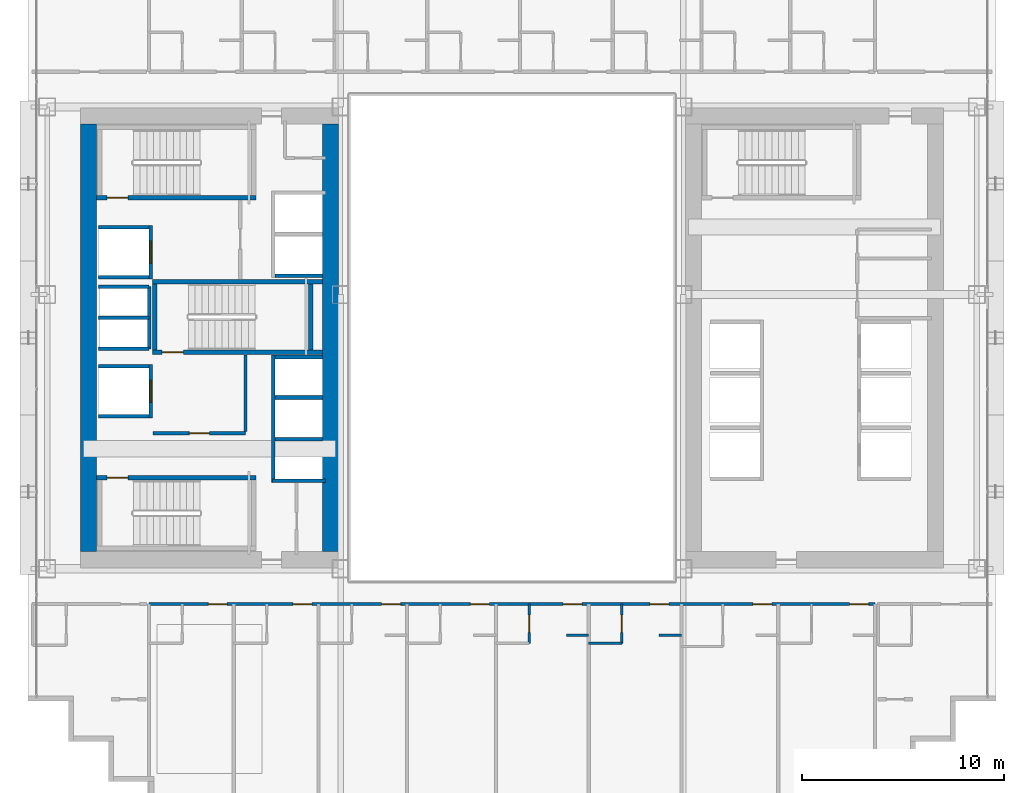
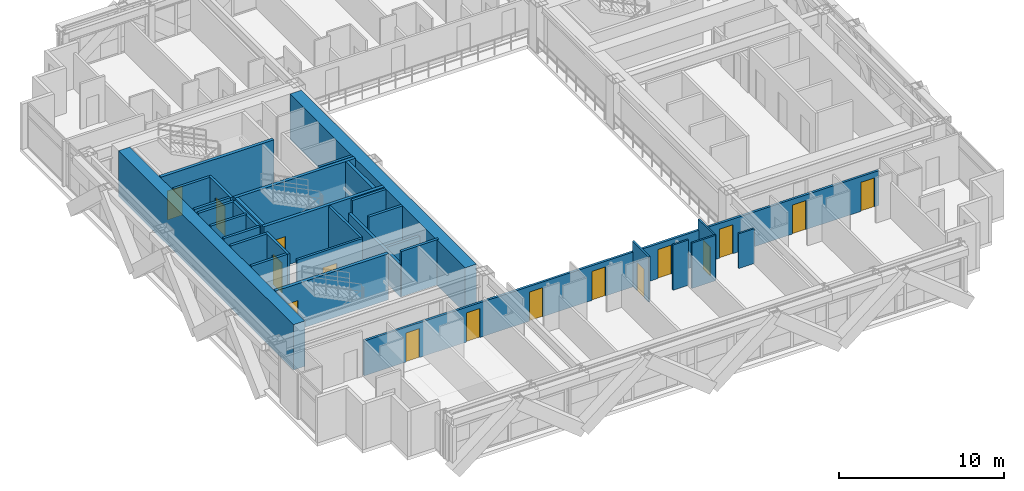
# One storey, part 28 of 36: 32 walls, 16 doors, 16 openings.
"""IFC4 building model written with IfcOpenShell, lengths in metres."""

from ifc_helpers import new_model, si_unit, direction, frame, frame_2d, origin, place, context, subcontext, project, spatial, rectangle, extrude, source, transform, mapped, material, layer, layer_set, type_object, element, fill, save


model = new_model("IFC4")

# Units and contexts
model_context = context("Model", 3, precision=1e-05, world=origin(), true_north=direction((0.0, 1.0)))
body_context = subcontext(model_context, "Body", "Model", "MODEL_VIEW")
ifc_project = project(units=[si_unit("LENGTHUNIT", "METRE"), si_unit("AREAUNIT", "SQUARE_METRE"), si_unit("VOLUMEUNIT", "CUBIC_METRE"), si_unit("PLANEANGLEUNIT", "RADIAN"), si_unit("MASSUNIT", "GRAM", prefix="KILO")], contexts=[model_context])

# Site, building, storey
site_placement = place(None, origin())
site = spatial("IfcSite", under=ifc_project, at=site_placement, CompositionType="ELEMENT")
building_placement = place(site_placement, origin())
building = spatial("IfcBuilding", under=site, at=building_placement, Name="Ocotamira Hotel", CompositionType="ELEMENT")
storey_placement = place(building_placement, frame((0.0, 0.0, 42.0)))
storey = spatial("IfcBuildingStorey", under=building, at=storey_placement, Name="L09", CompositionType="ELEMENT", Elevation=42.0)

# Walls
ifc_material_1 = material(Name="Concrete C60/75", Category="concrete")
ifc_layer_1 = layer(ifc_material_1, 0.800048828125)
ifc_layer_set_1 = layer_set([ifc_layer_1], Name="Concrete C60/75")
wall_type_1 = type_object("IfcWallType", Name="WL-CORE-800", PredefinedType="SHEAR", material=ifc_layer_set_1)
for number, where, z_axis, x_axis, name in (
    (1, (11.0, 15.39990234375, 0.0), (0.0, 0.0, 1.0), (0.0, 1.0, 0.0), "L09 Shear Core Wall WCORE-W"),
    (2, (23.0, 15.39990234375, 0.0), (0.0, 0.0, 1.0), (0.0, 1.0, 0.0), "L09 Shear Core Wall WCORE-E"),
):
    element("IfcWall", number, at=place(storey_placement, frame(where, z_axis=z_axis, x_axis=x_axis)), inside=storey, type_object=wall_type_1, Name=name, PredefinedType="SHEAR", context=body_context, shape_type="SweptSolid", body=[
        extrude(rectangle(XDim=21.2001953125, YDim=0.800048828125, at=frame_2d((10.60009765625, 0.0))), origin(), (0.0, 0.0, 1.0), 3.35009765625),
    ])

# Wall, opening, door
ifc_material_2 = material(Name="Acoustic double-layer fire gypsum board partition", Category="gypsum")
ifc_layer_2 = layer(ifc_material_2, 0.159912109375)
ifc_layer_set_2 = layer_set([ifc_layer_2], Name="Acoustic double-layer fire gypsum board partition")
wall_type_2 = type_object("IfcWallType", Name="WL-FIRE-160", PredefinedType="PARTITIONING", material=ifc_layer_set_2)
wall_1_placement = place(storey_placement, frame((14.199951171875, 21.27001953125, 0.0), z_axis=(0.0, 0.0, 1.0), x_axis=(1.0, 0.0, 0.0)))
wall_1 = element("IfcWall", 3, at=wall_1_placement, inside=storey, type_object=wall_type_2, Name="L09 Interior Wall PW-L09-FSAE1-S", PredefinedType="PARTITIONING", context=body_context, shape_type="SweptSolid", body=[
    extrude(rectangle(XDim=4.580078125, YDim=0.159912109375, at=frame_2d((2.2900390625, 0.0))), origin(), (0.0, 0.0, 1.0), 3.35009765625),
])
opening_1_placement = place(wall_1_placement, frame((1.800048828125, 0.0, 0.0)))
opening_1 = element("IfcOpeningElement", 4, at=opening_1_placement, cuts=wall_1, Name="Opening D-FR2", PredefinedType="OPENING", context=body_context, shape_type="SweptSolid", body=[
    extrude(rectangle(XDim=1.0, YDim=2.14990234375, at=frame_2d((0.5, 1.074951171875))), frame((0.0, 0.08984375, 0.0), z_axis=(0.0, -1.0, 0.0), x_axis=(1.0, 0.0, 0.0)), (0.0, 0.0, 1.0), 0.179931640625),
])
ifc_material_3 = material(Name="Fire-rated acoustic timber-veneer door", Category="wood")
door_type_1 = type_object("IfcDoorType", Name="DR-FIRE-1000", OperationType="NOTDEFINED", PredefinedType="DOOR", material=ifc_material_3)
shared_shape_1 = source(origin(), body_context, "Body", "SweptSolid", [
    extrude(rectangle(XDim=1.0, YDim=2.14990234375, at=frame_2d((0.5, 1.074951171875))), frame((0.0, 0.02490234375, 0.0), z_axis=(0.0, -1.0, 0.0), x_axis=(1.0, 0.0, 0.0)), (0.0, 0.0, 1.0), 0.050048828125),
])
door_1_placement = place(opening_1_placement, origin())
door_1 = element("IfcDoor", 5, at=door_1_placement, inside=storey, type_object=door_type_1, Name="L09 Door ID-L09-FSAE1-D [ID-L09-FSAE1-D]", OperationType="SINGLE_SWING_LEFT", OverallHeight=2.14990234375, OverallWidth=1.0, PredefinedType="DOOR", context=body_context, shape_type="MappedRepresentation", body=[
    mapped(shared_shape_1, transform((0.0, 0.0, 0.0), scale=1.0)),
])
fill(opening_1, door_1)

# Wall
wall_2_placement = place(storey_placement, frame((18.780029296875, 21.35009765625, 0.0), z_axis=(0.0, 0.0, 1.0), x_axis=(0.0, 1.0, 0.0)))
element("IfcWall", 6, at=wall_2_placement, inside=storey, type_object=wall_type_2, Name="L09 Interior Wall PW-L09-FSAE1-E", PredefinedType="PARTITIONING", context=body_context, shape_type="SweptSolid", body=[
    extrude(rectangle(XDim=3.809814453125, YDim=0.159912109375, at=frame_2d((1.90478515625, 0.0))), origin(), (0.0, 0.0, 1.0), 3.35009765625),
])

# Wall, openings, doors
wall_3_placement = place(storey_placement, frame((14.0, 12.800048828125, 0.0), z_axis=(0.0, 0.0, 1.0), x_axis=(1.0, 0.0, 0.0)))
wall_3 = element("IfcWall", 7, at=wall_3_placement, inside=storey, type_object=wall_type_2, Name="L09 Interior Wall PW-L09-Z1AS-CORRW", PredefinedType="PARTITIONING", context=body_context, shape_type="SweptSolid", body=[
    extrude(rectangle(XDim=36.0, YDim=0.159912109375, at=frame_2d((18.0, 0.0))), origin(), (0.0, 0.0, 1.0), 2.571044921875),
])
opening_2_placement = place(wall_3_placement, frame((2.93994140625, 0.0, 0.0)))
opening_2 = element("IfcOpeningElement", 8, at=opening_2_placement, cuts=wall_3, Name="Opening D-GR1", PredefinedType="OPENING", context=body_context, shape_type="SweptSolid", body=[
    extrude(rectangle(XDim=0.93994140625, YDim=2.14990234375, at=frame_2d((0.469970703125, 1.074951171875))), frame((0.0, 0.08984375, 0.0), z_axis=(0.0, -1.0, 0.0), x_axis=(1.0, 0.0, 0.0)), (0.0, 0.0, 1.0), 0.179931640625),
])
opening_3_placement = place(wall_3_placement, frame((7.139892578125, 0.0, 0.0)))
opening_3 = element("IfcOpeningElement", 9, at=opening_3_placement, cuts=wall_3, Name="Opening D-GR1", PredefinedType="OPENING", context=body_context, shape_type="SweptSolid", body=[
    extrude(rectangle(XDim=0.93994140625, YDim=2.14990234375, at=frame_2d((0.469970703125, 1.074951171875))), frame((0.0, 0.08984375, 0.0), z_axis=(0.0, -1.0, 0.0), x_axis=(1.0, 0.0, 0.0)), (0.0, 0.0, 1.0), 0.179931640625),
])
opening_4_placement = place(wall_3_placement, frame((11.5400390625, 0.0, 0.0)))
opening_4 = element("IfcOpeningElement", 10, at=opening_4_placement, cuts=wall_3, Name="Opening D-GR1", PredefinedType="OPENING", context=body_context, shape_type="SweptSolid", body=[
    extrude(rectangle(XDim=0.93994140625, YDim=2.14990234375, at=frame_2d((0.469970703125, 1.074951171875))), frame((0.0, 0.08984375, 0.0), z_axis=(0.0, -1.0, 0.0), x_axis=(1.0, 0.0, 0.0)), (0.0, 0.0, 1.0), 0.179931640625),
])
opening_5_placement = place(wall_3_placement, frame((15.93994140625, 0.0, 0.0)))
opening_5 = element("IfcOpeningElement", 11, at=opening_5_placement, cuts=wall_3, Name="Opening D-GR1", PredefinedType="OPENING", context=body_context, shape_type="SweptSolid", body=[
    extrude(rectangle(XDim=0.93994140625, YDim=2.14990234375, at=frame_2d((0.469970703125, 1.074951171875))), frame((0.0, 0.08984375, 0.0), z_axis=(0.0, -1.0, 0.0), x_axis=(1.0, 0.0, 0.0)), (0.0, 0.0, 1.0), 0.179931640625),
])
opening_6_placement = place(wall_3_placement, frame((20.5400390625, 0.0, 0.0)))
opening_6 = element("IfcOpeningElement", 12, at=opening_6_placement, cuts=wall_3, Name="Opening D-GR1", PredefinedType="OPENING", context=body_context, shape_type="SweptSolid", body=[
    extrude(rectangle(XDim=0.93994140625, YDim=2.14990234375, at=frame_2d((0.469970703125, 1.074951171875))), frame((0.0, 0.08984375, 0.0), z_axis=(0.0, -1.0, 0.0), x_axis=(1.0, 0.0, 0.0)), (0.0, 0.0, 1.0), 0.179931640625),
])
opening_7_placement = place(wall_3_placement, frame((24.840087890625, 0.0, 0.0)))
opening_7 = element("IfcOpeningElement", 13, at=opening_7_placement, cuts=wall_3, Name="Opening D-GR1", PredefinedType="OPENING", context=body_context, shape_type="SweptSolid", body=[
    extrude(rectangle(XDim=0.93994140625, YDim=2.14990234375, at=frame_2d((0.469970703125, 1.074951171875))), frame((0.0, 0.08984375, 0.0), z_axis=(0.0, -1.0, 0.0), x_axis=(1.0, 0.0, 0.0)), (0.0, 0.0, 1.0), 0.179931640625),
])
opening_8_placement = place(wall_3_placement, frame((29.93994140625, 0.0, 0.0)))
opening_8 = element("IfcOpeningElement", 14, at=opening_8_placement, cuts=wall_3, Name="Opening D-GR1", PredefinedType="OPENING", context=body_context, shape_type="SweptSolid", body=[
    extrude(rectangle(XDim=0.93994140625, YDim=2.14990234375, at=frame_2d((0.469970703125, 1.074951171875))), frame((0.0, 0.08984375, 0.0), z_axis=(0.0, -1.0, 0.0), x_axis=(1.0, 0.0, 0.0)), (0.0, 0.0, 1.0), 0.179931640625),
])
opening_9_placement = place(wall_3_placement, frame((34.739990234375, 0.0, 0.0)))
opening_9 = element("IfcOpeningElement", 15, at=opening_9_placement, cuts=wall_3, Name="Opening D-GR1", PredefinedType="OPENING", context=body_context, shape_type="SweptSolid", body=[
    extrude(rectangle(XDim=0.93994140625, YDim=2.14990234375, at=frame_2d((0.469970703125, 1.074951171875))), frame((0.0, 0.08984375, 0.0), z_axis=(0.0, -1.0, 0.0), x_axis=(1.0, 0.0, 0.0)), (0.0, 0.0, 1.0), 0.179931640625),
])
ifc_material_4 = material(Name="Solid-core walnut suite entrance fire door", Category="wood")
door_type_2 = type_object("IfcDoorType", Name="DR-GUEST-940", OperationType="NOTDEFINED", PredefinedType="DOOR", material=ifc_material_4)
shared_shape_2 = source(origin(), body_context, "Body", "SweptSolid", [
    extrude(rectangle(XDim=0.93994140625, YDim=2.14990234375, at=frame_2d((0.469970703125, 1.074951171875))), frame((0.0, 0.02490234375, 0.0), z_axis=(0.0, -1.0, 0.0), x_axis=(1.0, 0.0, 0.0)), (0.0, 0.0, 1.0), 0.050048828125),
])
door_2_placement = place(opening_2_placement, origin())
door_2 = element("IfcDoor", 16, at=door_2_placement, inside=storey, type_object=door_type_2, Name="L09 Door ID-L09-Z1AS-RMD1 [ID-L09-Z1AS-RMD1]", OperationType="SINGLE_SWING_LEFT", OverallHeight=2.14990234375, OverallWidth=0.93994140625, PredefinedType="DOOR", context=body_context, shape_type="MappedRepresentation", body=[
    mapped(shared_shape_2, transform((0.0, 0.0, 0.0), scale=1.0)),
])
fill(opening_2, door_2)
door_3_placement = place(opening_3_placement, origin())
door_3 = element("IfcDoor", 17, at=door_3_placement, inside=storey, type_object=door_type_2, Name="L09 Door ID-L09-Z1AS-RMD2 [ID-L09-Z1AS-RMD2]", OperationType="SINGLE_SWING_RIGHT", OverallHeight=2.14990234375, OverallWidth=0.93994140625, PredefinedType="DOOR", context=body_context, shape_type="MappedRepresentation", body=[
    mapped(shared_shape_2, transform((0.0, 0.0, 0.0), scale=1.0)),
])
fill(opening_3, door_3)
door_4_placement = place(opening_4_placement, origin())
door_4 = element("IfcDoor", 18, at=door_4_placement, inside=storey, type_object=door_type_2, Name="L09 Door ID-L09-Z1AS-RMD3 [ID-L09-Z1AS-RMD3]", OperationType="SINGLE_SWING_LEFT", OverallHeight=2.14990234375, OverallWidth=0.93994140625, PredefinedType="DOOR", context=body_context, shape_type="MappedRepresentation", body=[
    mapped(shared_shape_2, transform((0.0, 0.0, 0.0), scale=1.0)),
])
fill(opening_4, door_4)
door_5_placement = place(opening_5_placement, origin())
door_5 = element("IfcDoor", 19, at=door_5_placement, inside=storey, type_object=door_type_2, Name="L09 Door ID-L09-Z1AS-RMD4 [ID-L09-Z1AS-RMD4]", OperationType="SINGLE_SWING_RIGHT", OverallHeight=2.14990234375, OverallWidth=0.93994140625, PredefinedType="DOOR", context=body_context, shape_type="MappedRepresentation", body=[
    mapped(shared_shape_2, transform((0.0, 0.0, 0.0), scale=1.0)),
])
fill(opening_5, door_5)
door_6_placement = place(opening_6_placement, origin())
door_6 = element("IfcDoor", 20, at=door_6_placement, inside=storey, type_object=door_type_2, Name="L09 Door ID-L09-Z1AS-RMD5 [ID-L09-Z1AS-RMD5]", OperationType="SINGLE_SWING_LEFT", OverallHeight=2.14990234375, OverallWidth=0.93994140625, PredefinedType="DOOR", context=body_context, shape_type="MappedRepresentation", body=[
    mapped(shared_shape_2, transform((0.0, 0.0, 0.0), scale=1.0)),
])
fill(opening_6, door_6)
door_7_placement = place(opening_7_placement, origin())
door_7 = element("IfcDoor", 21, at=door_7_placement, inside=storey, type_object=door_type_2, Name="L09 Door ID-L09-Z1AS-RMD6 [ID-L09-Z1AS-RMD6]", OperationType="SINGLE_SWING_RIGHT", OverallHeight=2.14990234375, OverallWidth=0.93994140625, PredefinedType="DOOR", context=body_context, shape_type="MappedRepresentation", body=[
    mapped(shared_shape_2, transform((0.0, 0.0, 0.0), scale=1.0)),
])
fill(opening_7, door_7)
door_8_placement = place(opening_8_placement, origin())
door_8 = element("IfcDoor", 22, at=door_8_placement, inside=storey, type_object=door_type_2, Name="L09 Door ID-L09-Z1AS-RMD7 [ID-L09-Z1AS-RMD7]", OperationType="SINGLE_SWING_LEFT", OverallHeight=2.14990234375, OverallWidth=0.93994140625, PredefinedType="DOOR", context=body_context, shape_type="MappedRepresentation", body=[
    mapped(shared_shape_2, transform((0.0, 0.0, 0.0), scale=1.0)),
])
fill(opening_8, door_8)
door_9_placement = place(opening_9_placement, origin())
door_9 = element("IfcDoor", 23, at=door_9_placement, inside=storey, type_object=door_type_2, Name="L09 Door ID-L09-Z1AS-RMD8 [ID-L09-Z1AS-RMD8]", OperationType="SINGLE_SWING_RIGHT", OverallHeight=2.14990234375, OverallWidth=0.93994140625, PredefinedType="DOOR", context=body_context, shape_type="MappedRepresentation", body=[
    mapped(shared_shape_2, transform((0.0, 0.0, 0.0), scale=1.0)),
])
fill(opening_9, door_9)

# Wall, opening, door
ifc_material_5 = material(Name="Moisture-resistant en-suite tile and gypsum partition", Category="gypsum")
ifc_layer_3 = layer(ifc_material_5, 0.1201171875)
ifc_layer_set_3 = layer_set([ifc_layer_3], Name="Moisture-resistant en-suite tile and gypsum partition")
wall_type_3 = type_object("IfcWallType", Name="WL-PART-120", PredefinedType="PARTITIONING", material=ifc_layer_set_3)
wall_4_placement = place(storey_placement, frame((32.85009765625, 10.85009765625, 0.0), z_axis=(0.0, 0.0, 1.0), x_axis=(0.0, 1.0, 0.0)))
wall_4 = element("IfcWall", 24, at=wall_4_placement, inside=storey, type_object=wall_type_3, Name="L09 Interior Wall PW-L09-Z1AS-BAE5", PredefinedType="PARTITIONING", context=body_context, shape_type="SweptSolid", body=[
    extrude(rectangle(XDim=1.949951171875, YDim=0.1201171875, at=frame_2d((0.97509765625, 0.0))), origin(), (0.0, 0.0, 1.0), 3.35009765625),
])
opening_10_placement = place(wall_4_placement, frame((0.544921875, 0.0, 0.0)))
opening_10 = element("IfcOpeningElement", 25, at=opening_10_placement, cuts=wall_4, Name="Opening D-BA1", PredefinedType="OPENING", context=body_context, shape_type="SweptSolid", body=[
    extrude(rectangle(XDim=0.860107421875, YDim=2.10009765625, at=frame_2d((0.43017578125, 1.050048828125))), frame((0.0, 0.070068359375, 0.0), z_axis=(0.0, -1.0, 0.0), x_axis=(1.0, 0.0, 0.0)), (0.0, 0.0, 1.0), 0.14013671875),
])
ifc_material_6 = material(Name="Moisture-sealed en-suite timber door", Category="wood")
door_type_3 = type_object("IfcDoorType", Name="DR-BATH-860", OperationType="NOTDEFINED", PredefinedType="DOOR", material=ifc_material_6)
shared_shape_3 = source(origin(), body_context, "Body", "SweptSolid", [
    extrude(rectangle(XDim=0.860107421875, YDim=2.10009765625, at=frame_2d((0.43017578125, 1.050048828125))), frame((0.0, 0.02490234375, 0.0), z_axis=(0.0, -1.0, 0.0), x_axis=(1.0, 0.0, 0.0)), (0.0, 0.0, 1.0), 0.050048828125),
])
door_10_placement = place(opening_10_placement, origin())
door_10 = element("IfcDoor", 26, at=door_10_placement, inside=storey, type_object=door_type_3, Name="L09 Door ID-L09-Z1AS-BAD5 [ID-L09-Z1AS-BAD5]", OperationType="SINGLE_SWING_RIGHT", OverallHeight=2.10009765625, OverallWidth=0.860107421875, PredefinedType="DOOR", context=body_context, shape_type="MappedRepresentation", body=[
    mapped(shared_shape_3, transform((0.0, 0.0, 0.0), scale=1.0)),
])
fill(opening_10, door_10)

# Wall
wall_5_placement = place(storey_placement, frame((34.699951171875, 11.25, 0.0), z_axis=(0.0, 0.0, 1.0), x_axis=(1.0, 0.0, 0.0)))
element("IfcWall", 27, at=wall_5_placement, inside=storey, type_object=wall_type_3, Name="L09 Interior Wall PW-L09-Z1AS-DRN5", PredefinedType="PARTITIONING", context=body_context, shape_type="SweptSolid", body=[
    extrude(rectangle(XDim=1.10009765625, YDim=0.1201171875, at=frame_2d((0.550048828125, 0.0))), origin(), (0.0, 0.0, 1.0), 3.35009765625),
])

# Wall, opening, door
wall_6_placement = place(storey_placement, frame((37.449951171875, 10.85009765625, 0.0), z_axis=(0.0, 0.0, 1.0), x_axis=(0.0, 1.0, 0.0)))
wall_6 = element("IfcWall", 28, at=wall_6_placement, inside=storey, type_object=wall_type_3, Name="L09 Interior Wall PW-L09-Z1AS-BAE6", PredefinedType="PARTITIONING", context=body_context, shape_type="SweptSolid", body=[
    extrude(rectangle(XDim=1.949951171875, YDim=0.1201171875, at=frame_2d((0.97509765625, 0.0))), origin(), (0.0, 0.0, 1.0), 3.35009765625),
])
opening_11_placement = place(wall_6_placement, frame((0.544921875, 0.0, 0.0)))
opening_11 = element("IfcOpeningElement", 29, at=opening_11_placement, cuts=wall_6, Name="Opening D-BA1", PredefinedType="OPENING", context=body_context, shape_type="SweptSolid", body=[
    extrude(rectangle(XDim=0.860107421875, YDim=2.10009765625, at=frame_2d((0.43017578125, 1.050048828125))), frame((0.0, 0.070068359375, 0.0), z_axis=(0.0, -1.0, 0.0), x_axis=(1.0, 0.0, 0.0)), (0.0, 0.0, 1.0), 0.14013671875),
])
door_11_placement = place(opening_11_placement, origin())
door_11 = element("IfcDoor", 30, at=door_11_placement, inside=storey, type_object=door_type_3, Name="L09 Door ID-L09-Z1AS-BAD6 [ID-L09-Z1AS-BAD6]", OperationType="SINGLE_SWING_LEFT", OverallHeight=2.10009765625, OverallWidth=0.860107421875, PredefinedType="DOOR", context=body_context, shape_type="MappedRepresentation", body=[
    mapped(shared_shape_3, transform((0.0, 0.0, 0.0), scale=1.0)),
])
fill(opening_11, door_11)

# Walls
wall_7_placement = place(storey_placement, frame((35.800048828125, 10.85009765625, 0.0), z_axis=(0.0, 0.0, 1.0), x_axis=(1.0, 0.0, 0.0)))
element("IfcWall", 31, at=wall_7_placement, inside=storey, type_object=wall_type_3, Name="L09 Interior Wall PW-L09-Z1AS-BAS6", PredefinedType="PARTITIONING", context=body_context, shape_type="SweptSolid", body=[
    extrude(rectangle(XDim=1.64990234375, YDim=0.1201171875, at=frame_2d((0.824951171875, 0.0))), origin(), (0.0, 0.0, 1.0), 3.35009765625),
])
wall_8_placement = place(storey_placement, frame((39.300048828125, 11.25, 0.0), z_axis=(0.0, 0.0, 1.0), x_axis=(1.0, 0.0, 0.0)))
element("IfcWall", 32, at=wall_8_placement, inside=storey, type_object=wall_type_3, Name="L09 Interior Wall PW-L09-Z1AS-DRN6", PredefinedType="PARTITIONING", context=body_context, shape_type="SweptSolid", body=[
    extrude(rectangle(XDim=1.099853515625, YDim=0.1201171875, at=frame_2d((0.5498046875, 0.0))), origin(), (0.0, 0.0, 1.0), 2.571044921875),
])
ifc_material_7 = material(Name="Fire-rated gypsum shaftliner board assembly", Category="gypsum")
ifc_layer_4 = layer(ifc_material_7, 0.179931640625)
ifc_layer_set_4 = layer_set([ifc_layer_4], Name="Fire-rated gypsum shaftliner board assembly")
wall_type_4 = type_object("IfcWallType", Name="WL-SHAFT-180", PredefinedType="SOLIDWALL", material=ifc_layer_set_4)
wall_9_placement = place(storey_placement, frame((20.159912109375, 18.820068359375, 0.0), z_axis=(0.0, 0.0, 1.0), x_axis=(0.0, 1.0, 0.0)))
element("IfcWall", 33, at=wall_9_placement, inside=storey, type_object=wall_type_4, Name="L09 Interior Wall PW-L09-LFW-BANK-high-F", PredefinedType="SOLIDWALL", context=body_context, shape_type="SweptSolid", body=[
    extrude(rectangle(XDim=6.31982421875, YDim=0.179931640625, at=frame_2d((3.159912109375, 0.0))), origin(), (0.0, 0.0, 1.0), 2.360107421875),
])
wall_10_placement = place(storey_placement, frame((20.1201171875, 18.909912109375, 0.0), z_axis=(0.0, 0.0, 1.0), x_axis=(1.0, 0.0, 0.0)))
element("IfcWall", 34, at=wall_10_placement, inside=storey, type_object=wall_type_4, Name="L09 Interior Wall PW-L09-LFW-BANK-high-S", PredefinedType="SOLIDWALL", context=body_context, shape_type="SweptSolid", body=[
    extrude(rectangle(XDim=2.6298828125, YDim=0.179931640625, at=frame_2d((1.31494140625, 0.0))), origin(), (0.0, 0.0, 1.0), 3.35009765625),
])
wall_11_placement = place(storey_placement, frame((20.25, 25.050048828125, 0.0), z_axis=(0.0, 0.0, 1.0), x_axis=(1.0, 0.0, 0.0)))
element("IfcWall", 35, at=wall_11_placement, inside=storey, type_object=wall_type_4, Name="L09 Interior Wall PW-L09-LFW-BANK-high-N", PredefinedType="SOLIDWALL", context=body_context, shape_type="SweptSolid", body=[
    extrude(rectangle(XDim=2.360107421875, YDim=0.179931640625, at=frame_2d((1.18017578125, 0.0))), origin(), (0.0, 0.0, 1.0), 3.35009765625),
])
wall_12_placement = place(storey_placement, frame((20.25, 20.965087890625, 0.0), z_axis=(0.0, 0.0, 1.0), x_axis=(1.0, 0.0, 0.0)))
element("IfcWall", 36, at=wall_12_placement, inside=storey, type_object=wall_type_4, Name="L09 Interior Wall PW-L09-LFW-DIV-LF-P7", PredefinedType="SOLIDWALL", context=body_context, shape_type="SweptSolid", body=[
    extrude(rectangle(XDim=2.360107421875, YDim=0.179931640625, at=frame_2d((1.18017578125, 0.0))), origin(), (0.0, 0.0, 1.0), 2.360107421875),
])
for number, where, z_axis, x_axis, name in (
    (37, (20.25, 23.044921875, 0.0), (0.0, 0.0, 1.0), (1.0, 0.0, 0.0), "L09 Interior Wall PW-L09-LFW-DIV-LF-P8"),
    (38, (20.25, 29.090087890625, 0.0), (0.0, 0.0, 1.0), (1.0, 0.0, 0.0), "L09 Interior Wall PW-L09-LFW-BANK-obs-S"),
):
    element("IfcWall", number, at=place(storey_placement, frame(where, z_axis=z_axis, x_axis=x_axis)), inside=storey, type_object=wall_type_4, Name=name, PredefinedType="SOLIDWALL", context=body_context, shape_type="SweptSolid", body=[
        extrude(rectangle(XDim=2.360107421875, YDim=0.179931640625, at=frame_2d((1.18017578125, 0.0))), origin(), (0.0, 0.0, 1.0), 3.35009765625),
    ])
for number, where, z_axis, x_axis, name in (
    (39, (11.5, 22.110107421875, 0.0), (0.0, 0.0, 1.0), (1.0, 0.0, 0.0), "L09 Interior Wall PW-L09-LFW-LF-FSAE1-S"),
    (40, (11.5, 24.590087890625, 0.0), (0.0, 0.0, 1.0), (1.0, 0.0, 0.0), "L09 Interior Wall PW-L09-LFW-LF-FSAE1-N"),
):
    element("IfcWall", number, at=place(storey_placement, frame(where, z_axis=z_axis, x_axis=x_axis)), inside=storey, type_object=wall_type_4, Name=name, PredefinedType="SOLIDWALL", context=body_context, shape_type="SweptSolid", body=[
        extrude(rectangle(XDim=2.5, YDim=0.179931640625, at=frame_2d((1.25, 0.0))), origin(), (0.0, 0.0, 1.0), 3.35009765625),
    ])

# Wall, opening, door
wall_13_placement = place(storey_placement, frame((14.090087890625, 22.02001953125, 0.0), z_axis=(0.0, 0.0, 1.0), x_axis=(0.0, 1.0, 0.0)))
wall_13 = element("IfcWall", 41, at=wall_13_placement, inside=storey, type_object=wall_type_4, Name="L09 Interior Wall PW-L09-LFW-LF-FSAE1-E", PredefinedType="SOLIDWALL", context=body_context, shape_type="SweptSolid", body=[
    extrude(rectangle(XDim=2.659912109375, YDim=0.179931640625, at=frame_2d((1.330078125, 0.0))), origin(), (0.0, 0.0, 1.0), 3.35009765625),
])
opening_12_placement = place(wall_13_placement, frame((0.780029296875, 0.0, 0.0)))
opening_12 = element("IfcOpeningElement", 42, at=opening_12_placement, cuts=wall_13, Name="Opening LD-LF-FSAE1", PredefinedType="OPENING", context=body_context, shape_type="SweptSolid", body=[
    extrude(rectangle(XDim=1.10009765625, YDim=2.199951171875, at=frame_2d((0.550048828125, 1.10009765625))), frame((0.0, 0.10009765625, 0.0), z_axis=(0.0, -1.0, 0.0), x_axis=(1.0, 0.0, 0.0)), (0.0, 0.0, 1.0), 0.199951171875),
])
ifc_material_8 = material(Name="Brushed pale-metal stainless elevator landing door", Category="steel")
door_type_4 = type_object("IfcDoorType", Name="DR-LIFT-1100", OperationType="NOTDEFINED", PredefinedType="DOOR", material=ifc_material_8)
shared_shape_4 = source(origin(), body_context, "Body", "SweptSolid", [
    extrude(rectangle(XDim=1.10009765625, YDim=2.199951171875, at=frame_2d((0.550048828125, 1.10009765625))), frame((0.0, 0.02490234375, 0.0), z_axis=(0.0, -1.0, 0.0), x_axis=(1.0, 0.0, 0.0)), (0.0, 0.0, 1.0), 0.050048828125),
])
door_12_placement = place(opening_12_placement, origin())
door_12 = element("IfcDoor", 43, at=door_12_placement, inside=storey, type_object=door_type_4, Name="L09 Landing Door LD-LF-FSAE1 [ID-L09-LD-LF-FSAE1]", OperationType="DOUBLE_DOOR_SLIDING", OverallHeight=2.199951171875, OverallWidth=1.10009765625, PredefinedType="DOOR", context=body_context, shape_type="MappedRepresentation", body=[
    mapped(shared_shape_4, transform((0.0, 0.0, 0.0), scale=1.0)),
])
fill(opening_12, door_12)

# Walls
for number, where, z_axis, x_axis, name in (
    (44, (11.5, 29.010009765625, 0.0), (0.0, 0.0, 1.0), (1.0, 0.0, 0.0), "L09 Interior Wall PW-L09-LFW-LF-FSAE2-S"),
    (45, (11.5, 31.489990234375, 0.0), (0.0, 0.0, 1.0), (1.0, 0.0, 0.0), "L09 Interior Wall PW-L09-LFW-LF-FSAE2-N"),
):
    element("IfcWall", number, at=place(storey_placement, frame(where, z_axis=z_axis, x_axis=x_axis)), inside=storey, type_object=wall_type_4, Name=name, PredefinedType="SOLIDWALL", context=body_context, shape_type="SweptSolid", body=[
        extrude(rectangle(XDim=2.5, YDim=0.179931640625, at=frame_2d((1.25, 0.0))), origin(), (0.0, 0.0, 1.0), 3.35009765625),
    ])

# Wall, opening, door
wall_14_placement = place(storey_placement, frame((14.090087890625, 28.919921875, 0.0), z_axis=(0.0, 0.0, 1.0), x_axis=(0.0, 1.0, 0.0)))
wall_14 = element("IfcWall", 46, at=wall_14_placement, inside=storey, type_object=wall_type_4, Name="L09 Interior Wall PW-L09-LFW-LF-FSAE2-E", PredefinedType="SOLIDWALL", context=body_context, shape_type="SweptSolid", body=[
    extrude(rectangle(XDim=2.66015625, YDim=0.179931640625, at=frame_2d((1.330078125, 0.0))), origin(), (0.0, 0.0, 1.0), 3.35009765625),
])
opening_13_placement = place(wall_14_placement, frame((0.780029296875, 0.0, 0.0)))
opening_13 = element("IfcOpeningElement", 47, at=opening_13_placement, cuts=wall_14, Name="Opening LD-LF-FSAE2", PredefinedType="OPENING", context=body_context, shape_type="SweptSolid", body=[
    extrude(rectangle(XDim=1.10009765625, YDim=2.199951171875, at=frame_2d((0.550048828125, 1.10009765625))), frame((0.0, 0.10009765625, 0.0), z_axis=(0.0, -1.0, 0.0), x_axis=(1.0, 0.0, 0.0)), (0.0, 0.0, 1.0), 0.199951171875),
])
door_13_placement = place(opening_13_placement, origin())
door_13 = element("IfcDoor", 48, at=door_13_placement, inside=storey, type_object=door_type_4, Name="L09 Landing Door LD-LF-FSAE2 [ID-L09-LD-LF-FSAE2]", OperationType="DOUBLE_DOOR_SLIDING", OverallHeight=2.199951171875, OverallWidth=1.10009765625, PredefinedType="DOOR", context=body_context, shape_type="MappedRepresentation", body=[
    mapped(shared_shape_4, transform((0.0, 0.0, 0.0), scale=1.0)),
])
fill(opening_13, door_13)

# Walls
for number, where, z_axis, x_axis, name in (
    (49, (11.5, 25.4599609375, 0.0), (0.0, 0.0, 1.0), (1.0, 0.0, 0.0), "L09 Interior Wall PW-L09-RSW-S"),
    (50, (11.5, 27.0, 0.0), (0.0, 0.0, 1.0), (1.0, 0.0, 0.0), "L09 Interior Wall PW-L09-RSW-MID"),
    (51, (11.5, 28.5400390625, 0.0), (0.0, 0.0, 1.0), (1.0, 0.0, 0.0), "L09 Interior Wall PW-L09-RSW-N"),
):
    element("IfcWall", number, at=place(storey_placement, frame(where, z_axis=z_axis, x_axis=x_axis)), inside=storey, type_object=wall_type_4, Name=name, PredefinedType="SOLIDWALL", context=body_context, shape_type="SweptSolid", body=[
        extrude(rectangle(XDim=2.510009765625, YDim=0.179931640625, at=frame_2d((1.2548828125, 0.0))), origin(), (0.0, 0.0, 1.0), 3.35009765625),
    ])
wall_15_placement = place(storey_placement, frame((14.010009765625, 25.4599609375, 0.0), z_axis=(0.0, 0.0, 1.0), x_axis=(0.0, 1.0, 0.0)))
element("IfcWall", 52, at=wall_15_placement, inside=storey, type_object=wall_type_4, Name="L09 Interior Wall PW-L09-RSW-E", PredefinedType="SOLIDWALL", context=body_context, shape_type="SweptSolid", body=[
    extrude(rectangle(XDim=3.080078125, YDim=0.179931640625, at=frame_2d((1.5400390625, 0.0))), origin(), (0.0, 0.0, 1.0), 3.35009765625),
])

# Wall, opening, door
ifc_material_9 = material(Name="Concrete C50/60", Category="concrete")
ifc_layer_5 = layer(ifc_material_9, 0.219970703125)
ifc_layer_set_5 = layer_set([ifc_layer_5], Name="Concrete C50/60")
wall_type_5 = type_object("IfcWallType", Name="WL-STAIR-220", PredefinedType="SHEAR", material=ifc_layer_set_5)
wall_16_placement = place(storey_placement, frame((11.39990234375, 19.06005859375, 0.0), z_axis=(0.0, 0.0, 1.0), x_axis=(1.0, 0.0, 0.0)))
wall_16 = element("IfcWall", 53, at=wall_16_placement, inside=storey, type_object=wall_type_5, Name="L09 Stair Shaft Structural Wall ST-1-N", PredefinedType="SHEAR", context=body_context, shape_type="SweptSolid", body=[
    extrude(rectangle(XDim=7.91015625, YDim=0.219970703125, at=frame_2d((3.955078125, 0.0))), origin(), (0.0, 0.0, 1.0), 3.39990234375),
])
opening_14_placement = place(wall_16_placement, frame((0.52001953125, 0.0, 0.0)))
opening_14 = element("IfcOpeningElement", 54, at=opening_14_placement, cuts=wall_16, Name="Opening D-ST2", PredefinedType="OPENING", context=body_context, shape_type="SweptSolid", body=[
    extrude(rectangle(XDim=1.050048828125, YDim=2.14990234375, at=frame_2d((0.52490234375, 1.074951171875))), frame((0.0, 0.1201171875, 0.0), z_axis=(0.0, -1.0, 0.0), x_axis=(1.0, 0.0, 0.0)), (0.0, 0.0, 1.0), 0.239990234375),
])
ifc_material_10 = material(Name="Insulated painted hollow-metal fire exit door", Category="steel")
door_type_5 = type_object("IfcDoorType", Name="DR-STAIR-1050", OperationType="NOTDEFINED", PredefinedType="DOOR", material=ifc_material_10)
shared_shape_5 = source(origin(), body_context, "Body", "SweptSolid", [
    extrude(rectangle(XDim=1.050048828125, YDim=2.14990234375, at=frame_2d((0.52490234375, 1.074951171875))), frame((0.0, 0.02490234375, 0.0), z_axis=(0.0, -1.0, 0.0), x_axis=(1.0, 0.0, 0.0)), (0.0, 0.0, 1.0), 0.050048828125),
])
door_14_placement = place(opening_14_placement, origin())
door_14 = element("IfcDoor", 55, at=door_14_placement, inside=storey, type_object=door_type_5, Name="L09 Door ID-L09-STD-ST-1 [ID-L09-STD-ST-1]", OperationType="SINGLE_SWING_RIGHT", OverallHeight=2.14990234375, OverallWidth=1.050048828125, PredefinedType="DOOR", context=body_context, shape_type="MappedRepresentation", body=[
    mapped(shared_shape_5, transform((0.0, 0.0, 0.0), scale=1.0)),
])
fill(opening_14, door_14)

wall_17_placement = place(storey_placement, frame((11.39990234375, 32.93994140625, 0.0), z_axis=(0.0, 0.0, 1.0), x_axis=(1.0, 0.0, 0.0)))
wall_17 = element("IfcWall", 56, at=wall_17_placement, inside=storey, type_object=wall_type_5, Name="L09 Stair Shaft Structural Wall ST-2-S", PredefinedType="SHEAR", context=body_context, shape_type="SweptSolid", body=[
    extrude(rectangle(XDim=7.91015625, YDim=0.219970703125, at=frame_2d((3.955078125, 0.0))), origin(), (0.0, 0.0, 1.0), 3.39990234375),
])
opening_15_placement = place(wall_17_placement, frame((0.52001953125, 0.0, 0.0)))
opening_15 = element("IfcOpeningElement", 57, at=opening_15_placement, cuts=wall_17, Name="Opening D-ST2", PredefinedType="OPENING", context=body_context, shape_type="SweptSolid", body=[
    extrude(rectangle(XDim=1.050048828125, YDim=2.14990234375, at=frame_2d((0.52490234375, 1.074951171875))), frame((0.0, 0.1201171875, 0.0), z_axis=(0.0, -1.0, 0.0), x_axis=(1.0, 0.0, 0.0)), (0.0, 0.0, 1.0), 0.239990234375),
])
door_15_placement = place(opening_15_placement, origin())
door_15 = element("IfcDoor", 58, at=door_15_placement, inside=storey, type_object=door_type_5, Name="L09 Door ID-L09-STD-ST-2 [ID-L09-STD-ST-2]", OperationType="SINGLE_SWING_LEFT", OverallHeight=2.14990234375, OverallWidth=1.050048828125, PredefinedType="DOOR", context=body_context, shape_type="MappedRepresentation", body=[
    mapped(shared_shape_5, transform((0.0, 0.0, 0.0), scale=1.0)),
])
fill(opening_15, door_15)

wall_18_placement = place(storey_placement, frame((14.179931640625, 25.2900390625, 0.0), z_axis=(0.0, 0.0, 1.0), x_axis=(1.0, 0.0, 0.0)))
wall_18 = element("IfcWall", 59, at=wall_18_placement, inside=storey, type_object=wall_type_5, Name="L09 Stair Shaft Structural Wall ST-3-S", PredefinedType="SHEAR", context=body_context, shape_type="SweptSolid", body=[
    extrude(rectangle(XDim=8.420166015625, YDim=0.219970703125, at=frame_2d((4.2099609375, 0.0))), origin(), (0.0, 0.0, 1.0), 3.39990234375),
])
opening_16_placement = place(wall_18_placement, frame((0.469970703125, 0.0, 0.0)))
opening_16 = element("IfcOpeningElement", 60, at=opening_16_placement, cuts=wall_18, Name="Opening D-ST2", PredefinedType="OPENING", context=body_context, shape_type="SweptSolid", body=[
    extrude(rectangle(XDim=1.050048828125, YDim=2.14990234375, at=frame_2d((0.52490234375, 1.074951171875))), frame((0.0, 0.1201171875, 0.0), z_axis=(0.0, -1.0, 0.0), x_axis=(1.0, 0.0, 0.0)), (0.0, 0.0, 1.0), 0.239990234375),
])
door_16_placement = place(opening_16_placement, origin())
door_16 = element("IfcDoor", 61, at=door_16_placement, inside=storey, type_object=door_type_5, Name="L09 Door ID-L09-STD-ST-3 [ID-L09-STD-ST-3]", OperationType="SINGLE_SWING_RIGHT", OverallHeight=2.14990234375, OverallWidth=1.050048828125, PredefinedType="DOOR", context=body_context, shape_type="MappedRepresentation", body=[
    mapped(shared_shape_5, transform((0.0, 0.0, 0.0), scale=1.0)),
])
fill(opening_16, door_16)

# Walls
wall_19_placement = place(storey_placement, frame((14.179931640625, 28.7900390625, 0.0), z_axis=(0.0, 0.0, 1.0), x_axis=(1.0, 0.0, 0.0)))
element("IfcWall", 62, at=wall_19_placement, inside=storey, type_object=wall_type_5, Name="L09 Stair Shaft Structural Wall ST-3-N", PredefinedType="SHEAR", context=body_context, shape_type="SweptSolid", body=[
    extrude(rectangle(XDim=8.420166015625, YDim=0.219970703125, at=frame_2d((4.2099609375, 0.0))), origin(), (0.0, 0.0, 1.0), 3.39990234375),
])
for number, where, z_axis, x_axis, name in (
    (63, (14.2900390625, 25.39990234375, 0.0), (0.0, 0.0, 1.0), (0.0, 1.0, 0.0), "L09 Stair Shaft Structural Wall ST-3-W"),
    (64, (22.030029296875, 25.39990234375, 0.0), (0.0, 0.0, 1.0), (0.0, 1.0, 0.0), "L09 Stair Shaft Structural Wall ST-3-E"),
):
    element("IfcWall", number, at=place(storey_placement, frame(where, z_axis=z_axis, x_axis=x_axis)), inside=storey, type_object=wall_type_5, Name=name, PredefinedType="SHEAR", context=body_context, shape_type="SweptSolid", body=[
        extrude(rectangle(XDim=3.280029296875, YDim=0.219970703125, at=frame_2d((1.64013671875, 0.0))), origin(), (0.0, 0.0, 1.0), 3.39990234375),
    ])

save(model, "model.ifc")
